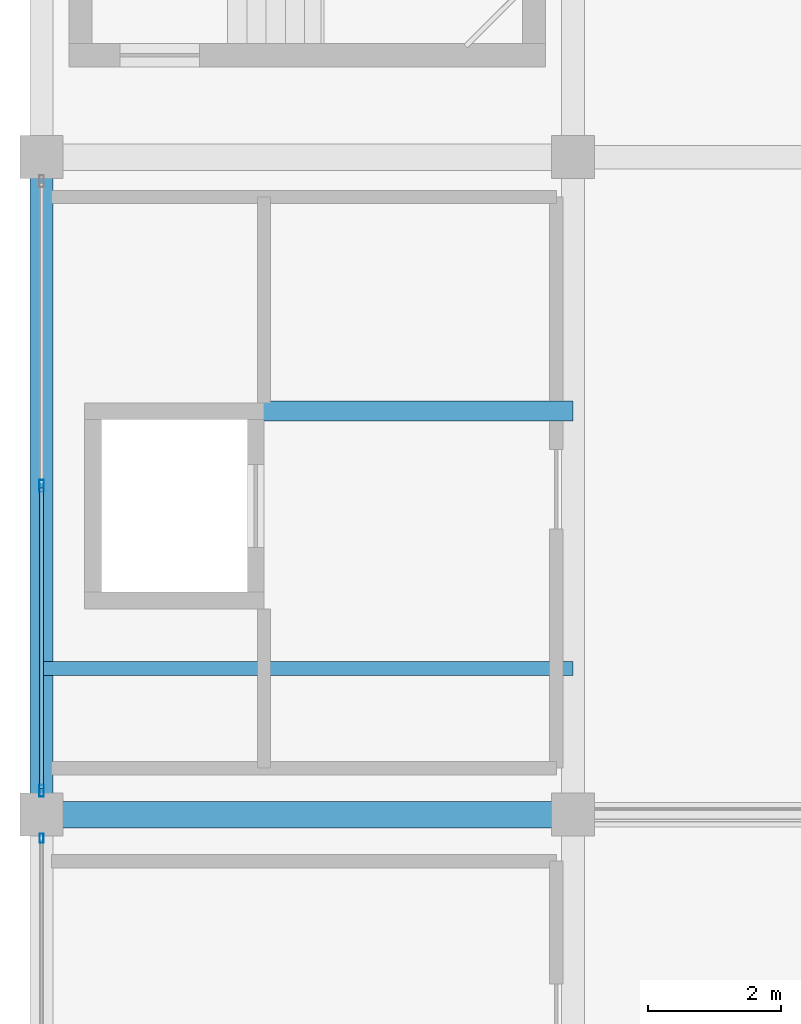
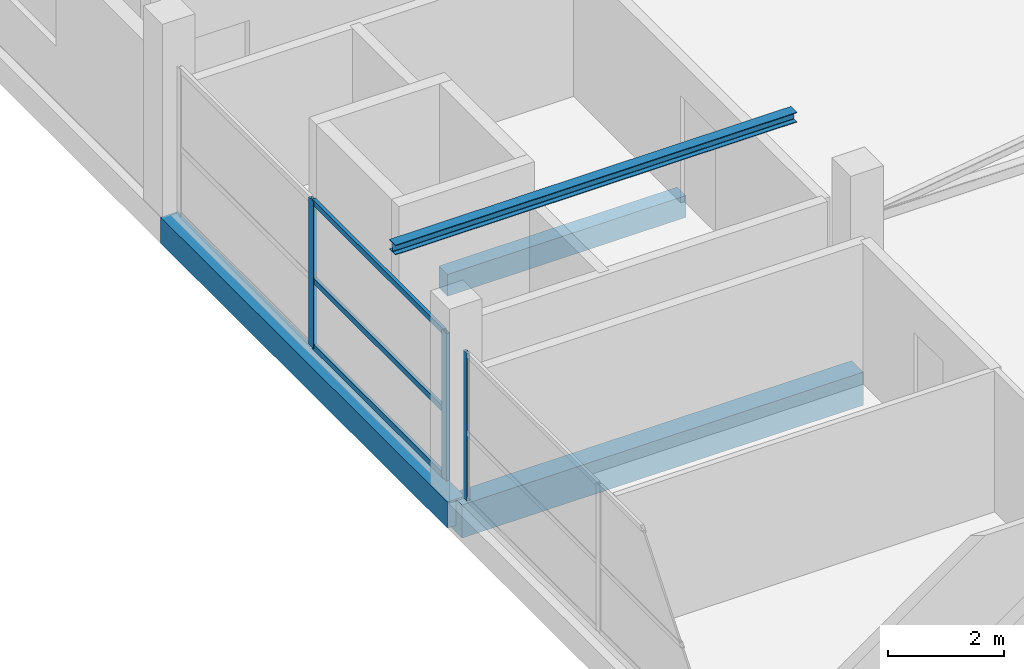
# One storey, part 28 of 66: 7 members, 3 beams, 2 elements without a shape of their own.
"""IFC4 building model written with IfcOpenShell, lengths in metres."""

from ifc_helpers import new_model, si_unit, direction, frame, origin, origin_2d, place, context, subcontext, project, spatial, rectangle, hollow_rectangle, i_section, extrude, material, layer, layer_set, material_profile, profile_set, type_object, element, aggregate, save


model = new_model("IFC4")

# Units and contexts
model_context = context("Model", 3, precision=1e-05, world=origin(), true_north=direction((0.0, 1.0)))
body_context = subcontext(model_context, "Body", "Model", "MODEL_VIEW")
ifc_project = project(units=[si_unit("LENGTHUNIT", "METRE"), si_unit("AREAUNIT", "SQUARE_METRE"), si_unit("VOLUMEUNIT", "CUBIC_METRE"), si_unit("PLANEANGLEUNIT", "RADIAN"), si_unit("MASSUNIT", "GRAM", prefix="KILO")], contexts=[model_context])

# Site, building, storey
site_placement = place(None, origin())
site = spatial("IfcSite", under=ifc_project, at=site_placement, CompositionType="ELEMENT")
building_placement = place(site_placement, origin())
building = spatial("IfcBuilding", under=site, at=building_placement, Name="Sillaruma Civic Art Gallery", CompositionType="ELEMENT")
storey_placement = place(building_placement, frame((0.0, 0.0, 62.219970703125)))
storey = spatial("IfcBuildingStorey", under=building, at=storey_placement, Name="L12", CompositionType="ELEMENT", Elevation=62.219970703125)

# Beams
ifc_material_1 = material(Name="Concrete H35 (35 MPa)", Category="concrete")
ifc_material_profile_1 = material_profile(ifc_material_1, rectangle(XDim=0.39990234375, YDim=0.699951171875, at=origin_2d()), Name="RCB400x700")
ifc_profile_set_1 = profile_set([ifc_material_profile_1], Name="Concrete H35 (35 MPa)")
beam_type_1 = type_object("IfcBeamType", Name="BM-BEAM-RCB400x700", PredefinedType="BEAM", material=ifc_profile_set_1)
beam_1_placement = place(storey_placement, frame((62.0, 69.300048828125, -0.580078125), z_axis=(1.0, 0.0, 0.0), x_axis=(0.0, 1.0, 0.0)))
element("IfcBeam", 1, at=beam_1_placement, inside=storey, type_object=beam_type_1, Name="Beam BM-04 (L11:8:F-G)", PredefinedType="BEAM", context=body_context, shape_type="SweptSolid", body=[
    extrude(rectangle(XDim=0.39990234375, YDim=0.699951171875, at=origin_2d()), origin(), (0.0, 0.0, 1.0), 8.0),
])
ifc_material_profile_2 = material_profile(ifc_material_1, rectangle(XDim=0.300048828125, YDim=0.4599609375, at=origin_2d()), Name="RCB300x460")
ifc_profile_set_2 = profile_set([ifc_material_profile_2], Name="Concrete H35 (35 MPa)")
beam_type_2 = type_object("IfcBeamType", Name="BM-LINTEL-RCB300x460", PredefinedType="LINTEL", material=ifc_profile_set_2)
beam_2_placement = place(storey_placement, frame((65.25, 75.3798828125, -0.4599609375), z_axis=(1.0, 0.0, 0.0), x_axis=(0.0, 1.0, 0.0)))
element("IfcBeam", 2, at=beam_2_placement, inside=storey, type_object=beam_type_2, Name="Core Portal Coupling Lintel BL-01 (L11:FFL)", PredefinedType="LINTEL", context=body_context, shape_type="SweptSolid", body=[
    extrude(rectangle(XDim=0.300048828125, YDim=0.4599609375, at=origin_2d()), origin(), (0.0, 0.0, 1.0), 4.75),
])
ifc_material_profile_3 = material_profile(ifc_material_1, rectangle(XDim=0.35009765625, YDim=0.550048828125, at=origin_2d()), Name="RCB350x550")
ifc_profile_set_3 = profile_set([ifc_material_profile_3], Name="Concrete H35 (35 MPa)")
beam_type_3 = type_object("IfcBeamType", Name="BM-SPANDREL-RCB350x550", PredefinedType="SPANDREL", material=ifc_profile_set_3)
beam_3_placement = place(storey_placement, frame((62.0, 69.300048828125, -0.5048828125), z_axis=(0.0, 1.0, 0.0), x_axis=(-1.0, 0.0, 0.0)))
element("IfcBeam", 3, at=beam_3_placement, inside=storey, type_object=beam_type_3, Name="Beam BS-04 (L11:F:8-9)", PredefinedType="SPANDREL", context=body_context, shape_type="SweptSolid", body=[
    extrude(rectangle(XDim=0.35009765625, YDim=0.550048828125, at=origin_2d()), origin(), (0.0, 0.0, 1.0), 9.89990234375),
])

# Curtain wall, member
ifc_material_2 = material(Name="Thermally Broken Extruded Aluminium 6063-T6", Category="aluminium")
ifc_layer_1 = layer(ifc_material_2, 0.139892578125, Name="Thermally Broken Extruded Aluminium 6063-T6")
ifc_layer_set_1 = layer_set([ifc_layer_1], Name="Thermally Broken Extruded Aluminium 6063-T6")
curtain_wall_type_1 = type_object("IfcCurtainWallType", Name="CW-UNI-93", PredefinedType="NOTDEFINED", material=ifc_layer_set_1)
curtain_wall_1_placement = place(storey_placement, origin())
curtain_wall_1 = element("IfcCurtainWall", 4, at=curtain_wall_1_placement, inside=storey, type_object=curtain_wall_type_1, Name="Unitised Curtain Wall CW-93 (CW-L12-WBW-5)", PredefinedType="NOTDEFINED")
ifc_material_profile_4 = material_profile(ifc_material_2, hollow_rectangle(XDim=0.06005859375, YDim=0.139892578125, WallThickness=0.00341796875, at=origin_2d()), Name="CWM60x140")
ifc_profile_set_4 = profile_set([ifc_material_profile_4], Name="Thermally Broken Extruded Aluminium 6063-T6")
member_type_1 = type_object("IfcMemberType", Name="MEM-MUL-CWM60x140", PredefinedType="MULLION", material=ifc_profile_set_4)
member_1_placement = place(storey_placement, frame((62.0, 68.945068359375, 0.0), z_axis=(0.0, 0.0, 1.0), x_axis=(-1.0, 0.0, 0.0)))
member_1 = element("IfcMember", 5, at=member_1_placement, type_object=member_type_1, Name="CW-93 mullion 3", PredefinedType="MULLION", context=body_context, shape_type="SweptSolid", body=[
    extrude(hollow_rectangle(XDim=0.06005859375, YDim=0.139892578125, WallThickness=0.00341796875, at=origin_2d()), origin(), (0.0, 0.0, 1.0), 3.10009765625),
])
aggregate(curtain_wall_1, [member_1])

# Curtain wall, members
ifc_layer_2 = layer(ifc_material_2, 0.179931640625, Name="Thermally Broken Extruded Aluminium 6063-T6")
ifc_layer_set_2 = layer_set([ifc_layer_2], Name="Thermally Broken Extruded Aluminium 6063-T6")
curtain_wall_type_2 = type_object("IfcCurtainWallType", Name="CW-UNI-92", PredefinedType="NOTDEFINED", material=ifc_layer_set_2)
curtain_wall_2_placement = place(storey_placement, origin())
curtain_wall_2 = element("IfcCurtainWall", 6, at=curtain_wall_2_placement, inside=storey, type_object=curtain_wall_type_2, Name="Unitised Curtain Wall CW-92 (CW-L12-WBW-6)", PredefinedType="NOTDEFINED")
ifc_material_profile_5 = material_profile(ifc_material_2, hollow_rectangle(XDim=0.070068359375, YDim=0.179931640625, WallThickness=0.00390625, at=origin_2d()), Name="CWM70x180")
ifc_profile_set_5 = profile_set([ifc_material_profile_5], Name="Thermally Broken Extruded Aluminium 6063-T6")
member_type_2 = type_object("IfcMemberType", Name="MEM-MUL-CWM70x180", PredefinedType="MULLION", material=ifc_profile_set_5)
member_2_placement = place(storey_placement, frame((62.0, 69.659912109375, 0.0), z_axis=(0.0, 0.0, 1.0), x_axis=(-1.0, 0.0, 0.0)))
member_2 = element("IfcMember", 7, at=member_2_placement, type_object=member_type_2, Name="CW-92 mullion 1", PredefinedType="MULLION", context=body_context, shape_type="SweptSolid", body=[
    extrude(hollow_rectangle(XDim=0.070068359375, YDim=0.179931640625, WallThickness=0.00390625, at=origin_2d()), origin(), (0.0, 0.0, 1.0), 3.10009765625),
])
member_3_placement = place(storey_placement, frame((62.0, 74.25, 0.0), z_axis=(0.0, 0.0, 1.0), x_axis=(-1.0, 0.0, 0.0)))
member_3 = element("IfcMember", 8, at=member_3_placement, type_object=member_type_2, Name="CW-92 mullion 2", PredefinedType="MULLION", context=body_context, shape_type="SweptSolid", body=[
    extrude(hollow_rectangle(XDim=0.070068359375, YDim=0.179931640625, WallThickness=0.00390625, at=origin_2d()), origin(), (0.0, 0.0, 1.0), 3.10009765625),
])

# Member
ifc_material_3 = material(Name="Structural Steel ASTM A992 Gr.50", Category="steel")
ifc_material_profile_6 = material_profile(ifc_material_3, i_section(OverallWidth=0.205078125, OverallDepth=0.2099609375, WebThickness=0.009033203125, FlangeThickness=0.01416015625, FilletRadius=0.010009765625, at=origin_2d()), Name="W200x59")
ifc_profile_set_6 = profile_set([ifc_material_profile_6], Name="Structural Steel ASTM A992 Gr.50")
member_type_3 = type_object("IfcMemberType", Name="MEM-STRINGER-W200", PredefinedType="STRINGER", material=ifc_profile_set_6)
member_4_placement = place(storey_placement, frame((62.0, 71.5, 3.7451171875), z_axis=(1.0, 0.0, 0.0), x_axis=(0.0, 1.0, 0.0)))
element("IfcMember", 9, at=member_4_placement, inside=storey, type_object=member_type_3, Name="Feature Stair Floor Stringer (ST-G08)", PredefinedType="STRINGER", context=body_context, shape_type="SweptSolid", body=[
    extrude(i_section(OverallWidth=0.205078125, OverallDepth=0.2099609375, WebThickness=0.009033203125, FlangeThickness=0.01416015625, FilletRadius=0.010009765625, at=origin_2d()), origin(), (0.0, 0.0, 1.0), 8.0),
])

ifc_material_profile_7 = material_profile(ifc_material_2, hollow_rectangle(XDim=0.06494140625, YDim=0.1201171875, WallThickness=0.00341796875, at=origin_2d()), Name="CWT65x120")
ifc_profile_set_7 = profile_set([ifc_material_profile_7], Name="Thermally Broken Extruded Aluminium 6063-T6")
member_type_4 = type_object("IfcMemberType", Name="MEM-TRN-CWT65x120", PredefinedType="USERDEFINED", material=ifc_profile_set_7)
member_5_placement = place(storey_placement, frame((62.0, 69.695068359375, 0.032470703125), z_axis=(0.0, 1.0, 0.0), x_axis=(-1.0, 0.0, 0.0)))
member_5 = element("IfcMember", 10, at=member_5_placement, type_object=member_type_4, Name="CW-92 transom 1.1", ObjectType="TRANSOM", PredefinedType="USERDEFINED", context=body_context, shape_type="SweptSolid", body=[
    extrude(hollow_rectangle(XDim=0.06494140625, YDim=0.1201171875, WallThickness=0.00341796875, at=origin_2d()), origin(), (0.0, 0.0, 1.0), 4.52001953125),
])

member_6_placement = place(storey_placement, frame((62.0, 69.695068359375, 1.426025390625), z_axis=(0.0, 1.0, 0.0), x_axis=(-1.0, 0.0, 0.0)))
member_6 = element("IfcMember", 11, at=member_6_placement, type_object=member_type_4, Name="CW-92 transom 1.2", ObjectType="TRANSOM", PredefinedType="USERDEFINED", context=body_context, shape_type="SweptSolid", body=[
    extrude(hollow_rectangle(XDim=0.06494140625, YDim=0.1201171875, WallThickness=0.00341796875, at=origin_2d()), origin(), (0.0, 0.0, 1.0), 4.52001953125),
])

member_7_placement = place(storey_placement, frame((62.0, 69.695068359375, 3.067626953125), z_axis=(0.0, 1.0, 0.0), x_axis=(-1.0, 0.0, 0.0)))
member_7 = element("IfcMember", 12, at=member_7_placement, type_object=member_type_4, Name="CW-92 transom 1.3", ObjectType="TRANSOM", PredefinedType="USERDEFINED", context=body_context, shape_type="SweptSolid", body=[
    extrude(hollow_rectangle(XDim=0.06494140625, YDim=0.1201171875, WallThickness=0.00341796875, at=origin_2d()), origin(), (0.0, 0.0, 1.0), 4.52001953125),
])

aggregate(curtain_wall_2, [member_2, member_3, member_5, member_6, member_7])

save(model, "model.ifc")
